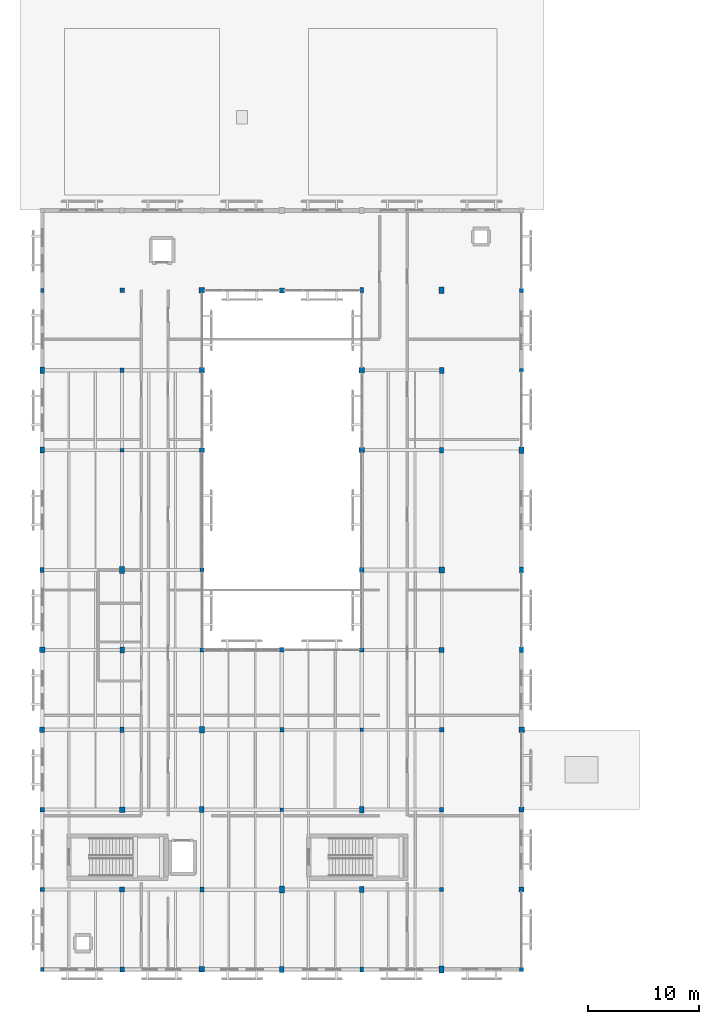
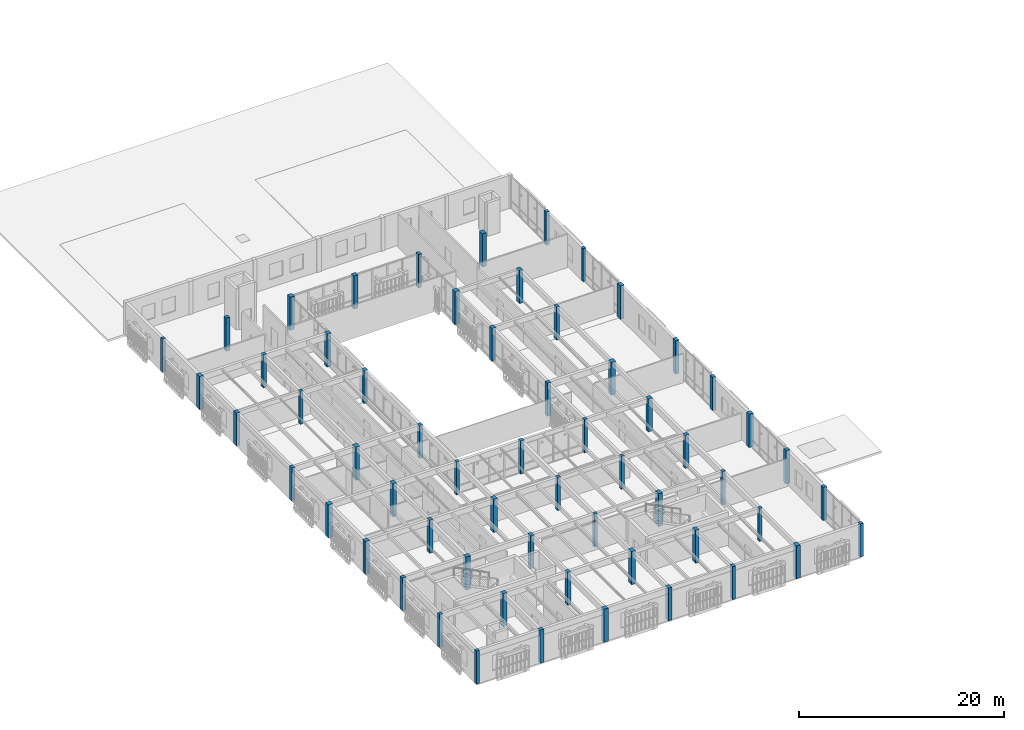
# One storey, part 1 of 61: 60 columns.
"""IFC4 building model written with IfcOpenShell, lengths in metres."""

from ifc_helpers import new_model, si_unit, direction, frame, origin, origin_2d, place, context, subcontext, project, spatial, rectangle, extrude, material, material_profile, profile_set, type_object, element, save


model = new_model("IFC4")

# Units and contexts
model_context = context("Model", 3, precision=1e-05, world=origin(), true_north=direction((0.0, 1.0)))
body_context = subcontext(model_context, "Body", "Model", "MODEL_VIEW")
ifc_project = project(units=[si_unit("LENGTHUNIT", "METRE"), si_unit("AREAUNIT", "SQUARE_METRE"), si_unit("VOLUMEUNIT", "CUBIC_METRE"), si_unit("PLANEANGLEUNIT", "RADIAN"), si_unit("MASSUNIT", "GRAM", prefix="KILO")], contexts=[model_context])

# Site, building, storey
site_placement = place(None, origin())
site = spatial("IfcSite", under=ifc_project, at=site_placement, CompositionType="ELEMENT")
building_placement = place(site_placement, origin())
building = spatial("IfcBuilding", under=site, at=building_placement, Name="Mazaris Harbour Polytechnic", CompositionType="ELEMENT")
storey_placement = place(building_placement, frame((0.0, 0.0, 18.0)))
storey = spatial("IfcBuildingStorey", under=building, at=storey_placement, Name="L04", CompositionType="ELEMENT", Elevation=18.0)

# Columns
ifc_material_1 = material(Name="Glulam GL28h", Category="wood")
ifc_material_profile_1 = material_profile(ifc_material_1, rectangle(XDim=0.340087890625, YDim=0.340087890625, at=origin_2d()), Name="RECT340x340")
ifc_profile_set_1 = profile_set([ifc_material_profile_1], Name="Glulam GL28h")
column_type_1 = type_object("IfcColumnType", Name="Glulam Column 340x340", PredefinedType="COLUMN", material=ifc_profile_set_1)
for number, where, z_axis, x_axis, name in (
    (1, (7.199951171875, 54.0, 0.0), (0.0, 0.0, 1.0), (1.0, 0.0, 0.0), "V4 L04 Column 1008"),
    (2, (14.39990234375, 36.0, 0.0), (0.0, 0.0, 1.0), (1.0, 0.0, 0.0), "V4 L04 Column 1016"),
    (3, (21.60009765625, 21.60009765625, 0.0), (0.0, 0.0, 1.0), (1.0, 0.0, 0.0), "V4 L04 Column 1024"),
    (4, (28.800048828125, 28.800048828125, 0.0), (0.0, 0.0, 1.0), (1.0, 0.0, 0.0), "V4 L04 Column 1032"),
    (5, (36.0, 14.39990234375, 0.0), (0.0, 0.0, 1.0), (1.0, 0.0, 0.0), "V4 L04 Column 1040"),
):
    element("IfcColumn", number, at=place(storey_placement, frame(where, z_axis=z_axis, x_axis=x_axis)), inside=storey, type_object=column_type_1, Name=name, PredefinedType="COLUMN", context=body_context, shape_type="SweptSolid", body=[
        extrude(rectangle(XDim=0.340087890625, YDim=0.340087890625, at=origin_2d()), origin(), (0.0, 0.0, 1.0), 3.93505859375),
    ])
ifc_material_2 = material(Name="Glulam GL28h", Category="wood")
ifc_material_profile_2 = material_profile(ifc_material_2, rectangle(XDim=0.340087890625, YDim=0.340087890625, at=origin_2d()), Name="RECT340x340")
ifc_profile_set_2 = profile_set([ifc_material_profile_2], Name="Glulam GL28h")
column_type_2 = type_object("IfcColumnType", Name="Glulam Column 340x340 Exterior", PredefinedType="COLUMN", material=ifc_profile_set_2)
column_1_placement = place(storey_placement, frame((0.0, 7.199951171875, 0.0), z_axis=(0.0, 0.0, 1.0), x_axis=(1.0, 0.0, 0.0)))
element("IfcColumn", 6, at=column_1_placement, inside=storey, type_object=column_type_2, Name="V4 L04 Column 992", PredefinedType="COLUMN", context=body_context, shape_type="SweptSolid", body=[
    extrude(rectangle(XDim=0.340087890625, YDim=0.340087890625, at=origin_2d()), origin(), (0.0, 0.0, 1.0), 3.93505859375),
])
for number, where, z_axis, x_axis, name in (
    (7, (0.0, 68.39990234375, 0.0), (0.0, 0.0, 1.0), (1.0, 0.0, 0.0), "V4 L04 Column 1000"),
    (8, (43.199951171875, 61.199951171875, 0.0), (0.0, 0.0, 1.0), (1.0, 0.0, 0.0), "V4 L04 Column 1056"),
):
    element("IfcColumn", number, at=place(storey_placement, frame(where, z_axis=z_axis, x_axis=x_axis)), inside=storey, type_object=column_type_2, Name=name, PredefinedType="COLUMN", context=body_context, shape_type="SweptSolid", body=[
        extrude(rectangle(XDim=0.340087890625, YDim=0.340087890625, at=origin_2d()), origin(), (0.0, 0.0, 1.0), 3.9599609375),
    ])
ifc_material_3 = material(Name="Glulam GL28h", Category="wood")
ifc_material_profile_3 = material_profile(ifc_material_3, rectangle(XDim=0.360107421875, YDim=0.47998046875, at=origin_2d()), Name="RECT360x480")
ifc_profile_set_3 = profile_set([ifc_material_profile_3], Name="Glulam GL28h")
column_type_3 = type_object("IfcColumnType", Name="Glulam Column 360x480", PredefinedType="COLUMN", material=ifc_profile_set_3)
for number, where, z_axis, x_axis, name in (
    (9, (7.199951171875, 28.800048828125, 0.0), (0.0, 0.0, 1.0), (1.0, 0.0, 0.0), "V4 L04 Column 1005"),
    (10, (14.39990234375, 14.39990234375, 0.0), (0.0, 0.0, 1.0), (1.0, 0.0, 0.0), "V4 L04 Column 1013"),
):
    element("IfcColumn", number, at=place(storey_placement, frame(where, z_axis=z_axis, x_axis=x_axis)), inside=storey, type_object=column_type_3, Name=name, PredefinedType="COLUMN", context=body_context, shape_type="SweptSolid", body=[
        extrude(rectangle(XDim=0.360107421875, YDim=0.47998046875, at=origin_2d()), origin(), (0.0, 0.0, 1.0), 3.93505859375),
    ])
column_2_placement = place(storey_placement, frame((28.800048828125, 68.39990234375, 0.0), z_axis=(0.0, 0.0, 1.0), x_axis=(1.0, 0.0, 0.0)))
element("IfcColumn", 11, at=column_2_placement, inside=storey, type_object=column_type_3, Name="V4 L04 Column 1037", PredefinedType="COLUMN", context=body_context, shape_type="SweptSolid", body=[
    extrude(rectangle(XDim=0.360107421875, YDim=0.47998046875, at=origin_2d()), origin(), (0.0, 0.0, 1.0), 3.9599609375),
])
column_3_placement = place(storey_placement, frame((36.0, 54.0, 0.0), z_axis=(0.0, 0.0, 1.0), x_axis=(1.0, 0.0, 0.0)))
element("IfcColumn", 12, at=column_3_placement, inside=storey, type_object=column_type_3, Name="V4 L04 Column 1045", PredefinedType="COLUMN", context=body_context, shape_type="SweptSolid", body=[
    extrude(rectangle(XDim=0.360107421875, YDim=0.47998046875, at=origin_2d()), origin(), (0.0, 0.0, 1.0), 3.93505859375),
])
ifc_material_4 = material(Name="Glulam GL28h", Category="wood")
ifc_material_profile_4 = material_profile(ifc_material_4, rectangle(XDim=0.360107421875, YDim=0.47998046875, at=origin_2d()), Name="RECT360x480")
ifc_profile_set_4 = profile_set([ifc_material_profile_4], Name="Glulam GL28h")
column_type_4 = type_object("IfcColumnType", Name="Glulam Column 360x480 Exterior", PredefinedType="COLUMN", material=ifc_profile_set_4)
for number, where, z_axis, x_axis, name in (
    (13, (0.0, 43.199951171875, 0.0), (0.0, 0.0, 1.0), (1.0, 0.0, 0.0), "V4 L04 Column 997"),
    (14, (28.800048828125, 7.199951171875, 0.0), (0.0, 0.0, 1.0), (1.0, 0.0, 0.0), "V4 L04 Column 1029"),
):
    element("IfcColumn", number, at=place(storey_placement, frame(where, z_axis=z_axis, x_axis=x_axis)), inside=storey, type_object=column_type_4, Name=name, PredefinedType="COLUMN", context=body_context, shape_type="SweptSolid", body=[
        extrude(rectangle(XDim=0.360107421875, YDim=0.47998046875, at=origin_2d()), origin(), (0.0, 0.0, 1.0), 3.93505859375),
    ])
column_4_placement = place(storey_placement, frame((43.199951171875, 36.0, 0.0), z_axis=(0.0, 0.0, 1.0), x_axis=(1.0, 0.0, 0.0)))
element("IfcColumn", 15, at=column_4_placement, inside=storey, type_object=column_type_4, Name="V4 L04 Column 1053", PredefinedType="COLUMN", context=body_context, shape_type="SweptSolid", body=[
    extrude(rectangle(XDim=0.360107421875, YDim=0.47998046875, at=origin_2d()), origin(), (0.0, 0.0, 1.0), 3.9599609375),
])
ifc_material_5 = material(Name="Glulam GL28h", Category="wood")
ifc_material_profile_5 = material_profile(ifc_material_5, rectangle(XDim=0.3798828125, YDim=0.3798828125, at=origin_2d()), Name="RECT380x380")
ifc_profile_set_5 = profile_set([ifc_material_profile_5], Name="Glulam GL28h")
column_type_5 = type_object("IfcColumnType", Name="Glulam Column 380x380", PredefinedType="COLUMN", material=ifc_profile_set_5)
for number, where, z_axis, x_axis, name in (
    (16, (7.199951171875, 61.199951171875, 0.0), (0.0, 0.0, 1.0), (1.0, 0.0, 0.0), "V4 L04 Column 1009"),
    (17, (14.39990234375, 43.199951171875, 0.0), (0.0, 0.0, 1.0), (1.0, 0.0, 0.0), "V4 L04 Column 1017"),
    (18, (21.60009765625, 28.800048828125, 0.0), (0.0, 0.0, 1.0), (1.0, 0.0, 0.0), "V4 L04 Column 1025"),
    (19, (28.800048828125, 36.0, 0.0), (0.0, 0.0, 1.0), (1.0, 0.0, 0.0), "V4 L04 Column 1033"),
    (20, (36.0, 21.60009765625, 0.0), (0.0, 0.0, 1.0), (1.0, 0.0, 0.0), "V4 L04 Column 1041"),
):
    element("IfcColumn", number, at=place(storey_placement, frame(where, z_axis=z_axis, x_axis=x_axis)), inside=storey, type_object=column_type_5, Name=name, PredefinedType="COLUMN", context=body_context, shape_type="SweptSolid", body=[
        extrude(rectangle(XDim=0.3798828125, YDim=0.3798828125, at=origin_2d()), origin(), (0.0, 0.0, 1.0), 3.93505859375),
    ])
ifc_material_6 = material(Name="Glulam GL28h", Category="wood")
ifc_material_profile_6 = material_profile(ifc_material_6, rectangle(XDim=0.3798828125, YDim=0.3798828125, at=origin_2d()), Name="RECT380x380")
ifc_profile_set_6 = profile_set([ifc_material_profile_6], Name="Glulam GL28h")
column_type_6 = type_object("IfcColumnType", Name="Glulam Column 380x380 Exterior", PredefinedType="COLUMN", material=ifc_profile_set_6)
column_5_placement = place(storey_placement, frame((0.0, 14.39990234375, 0.0), z_axis=(0.0, 0.0, 1.0), x_axis=(1.0, 0.0, 0.0)))
element("IfcColumn", 21, at=column_5_placement, inside=storey, type_object=column_type_6, Name="V4 L04 Column 993", PredefinedType="COLUMN", context=body_context, shape_type="SweptSolid", body=[
    extrude(rectangle(XDim=0.3798828125, YDim=0.3798828125, at=origin_2d()), origin(), (0.0, 0.0, 1.0), 3.93505859375),
])
for number, where, z_axis, x_axis, name in (
    (22, (43.199951171875, 7.199951171875, 0.0), (0.0, 0.0, 1.0), (1.0, 0.0, 0.0), "V4 L04 Column 1049"),
    (23, (43.199951171875, 68.39990234375, 0.0), (0.0, 0.0, 1.0), (1.0, 0.0, 0.0), "V4 L04 Column 1057"),
):
    element("IfcColumn", number, at=place(storey_placement, frame(where, z_axis=z_axis, x_axis=x_axis)), inside=storey, type_object=column_type_6, Name=name, PredefinedType="COLUMN", context=body_context, shape_type="SweptSolid", body=[
        extrude(rectangle(XDim=0.3798828125, YDim=0.3798828125, at=origin_2d()), origin(), (0.0, 0.0, 1.0), 3.9599609375),
    ])
ifc_material_7 = material(Name="Glulam GL28h", Category="wood")
ifc_material_profile_7 = material_profile(ifc_material_7, rectangle(XDim=0.39990234375, YDim=0.5400390625, at=origin_2d()), Name="RECT400x540")
ifc_profile_set_7 = profile_set([ifc_material_profile_7], Name="Glulam GL28h")
column_type_7 = type_object("IfcColumnType", Name="Glulam Column 400x540", PredefinedType="COLUMN", material=ifc_profile_set_7)
for number, where, z_axis, x_axis, name in (
    (24, (7.199951171875, 36.0, 0.0), (0.0, 0.0, 1.0), (1.0, 0.0, 0.0), "V4 L04 Column 1006"),
    (25, (14.39990234375, 21.60009765625, 0.0), (0.0, 0.0, 1.0), (1.0, 0.0, 0.0), "V4 L04 Column 1014"),
    (26, (28.800048828125, 14.39990234375, 0.0), (0.0, 0.0, 1.0), (1.0, 0.0, 0.0), "V4 L04 Column 1030"),
    (27, (36.0, 61.199951171875, 0.0), (0.0, 0.0, 1.0), (1.0, 0.0, 0.0), "V4 L04 Column 1046"),
):
    element("IfcColumn", number, at=place(storey_placement, frame(where, z_axis=z_axis, x_axis=x_axis)), inside=storey, type_object=column_type_7, Name=name, PredefinedType="COLUMN", context=body_context, shape_type="SweptSolid", body=[
        extrude(rectangle(XDim=0.39990234375, YDim=0.5400390625, at=origin_2d()), origin(), (0.0, 0.0, 1.0), 3.93505859375),
    ])
ifc_material_8 = material(Name="Glulam GL28h", Category="wood")
ifc_material_profile_8 = material_profile(ifc_material_8, rectangle(XDim=0.39990234375, YDim=0.5400390625, at=origin_2d()), Name="RECT400x540")
ifc_profile_set_8 = profile_set([ifc_material_profile_8], Name="Glulam GL28h")
column_type_8 = type_object("IfcColumnType", Name="Glulam Column 400x540 Exterior", PredefinedType="COLUMN", material=ifc_profile_set_8)
for number, where, z_axis, x_axis, name in (
    (28, (0.0, 54.0, 0.0), (0.0, 0.0, 1.0), (1.0, 0.0, 0.0), "V4 L04 Column 998"),
    (29, (21.60009765625, 7.199951171875, 0.0), (0.0, 0.0, 1.0), (1.0, 0.0, 0.0), "V4 L04 Column 1022"),
):
    element("IfcColumn", number, at=place(storey_placement, frame(where, z_axis=z_axis, x_axis=x_axis)), inside=storey, type_object=column_type_8, Name=name, PredefinedType="COLUMN", context=body_context, shape_type="SweptSolid", body=[
        extrude(rectangle(XDim=0.39990234375, YDim=0.5400390625, at=origin_2d()), origin(), (0.0, 0.0, 1.0), 3.93505859375),
    ])
column_6_placement = place(storey_placement, frame((43.199951171875, 43.199951171875, 0.0), z_axis=(0.0, 0.0, 1.0), x_axis=(1.0, 0.0, 0.0)))
element("IfcColumn", 30, at=column_6_placement, inside=storey, type_object=column_type_8, Name="V4 L04 Column 1054", PredefinedType="COLUMN", context=body_context, shape_type="SweptSolid", body=[
    extrude(rectangle(XDim=0.39990234375, YDim=0.5400390625, at=origin_2d()), origin(), (0.0, 0.0, 1.0), 3.9599609375),
])
ifc_material_9 = material(Name="Glulam GL28h", Category="wood")
ifc_material_profile_9 = material_profile(ifc_material_9, rectangle(XDim=0.419921875, YDim=0.419921875, at=origin_2d()), Name="RECT420x420")
ifc_profile_set_9 = profile_set([ifc_material_profile_9], Name="Glulam GL28h")
column_type_9 = type_object("IfcColumnType", Name="Glulam Column 420x420", PredefinedType="COLUMN", material=ifc_profile_set_9)
column_7_placement = place(storey_placement, frame((7.199951171875, 68.39990234375, 0.0), z_axis=(0.0, 0.0, 1.0), x_axis=(1.0, 0.0, 0.0)))
element("IfcColumn", 31, at=column_7_placement, inside=storey, type_object=column_type_9, Name="V4 L04 Column 1010", PredefinedType="COLUMN", context=body_context, shape_type="SweptSolid", body=[
    extrude(rectangle(XDim=0.419921875, YDim=0.419921875, at=origin_2d()), origin(), (0.0, 0.0, 1.0), 3.9599609375),
])
for number, where, z_axis, x_axis, name in (
    (32, (14.39990234375, 54.0, 0.0), (0.0, 0.0, 1.0), (1.0, 0.0, 0.0), "V4 L04 Column 1018"),
    (33, (21.60009765625, 36.0, 0.0), (0.0, 0.0, 1.0), (1.0, 0.0, 0.0), "V4 L04 Column 1026"),
    (34, (28.800048828125, 43.199951171875, 0.0), (0.0, 0.0, 1.0), (1.0, 0.0, 0.0), "V4 L04 Column 1034"),
    (35, (36.0, 28.800048828125, 0.0), (0.0, 0.0, 1.0), (1.0, 0.0, 0.0), "V4 L04 Column 1042"),
):
    element("IfcColumn", number, at=place(storey_placement, frame(where, z_axis=z_axis, x_axis=x_axis)), inside=storey, type_object=column_type_9, Name=name, PredefinedType="COLUMN", context=body_context, shape_type="SweptSolid", body=[
        extrude(rectangle(XDim=0.419921875, YDim=0.419921875, at=origin_2d()), origin(), (0.0, 0.0, 1.0), 3.93505859375),
    ])
ifc_material_10 = material(Name="Glulam GL28h", Category="wood")
ifc_material_profile_10 = material_profile(ifc_material_10, rectangle(XDim=0.419921875, YDim=0.419921875, at=origin_2d()), Name="RECT420x420")
ifc_profile_set_10 = profile_set([ifc_material_profile_10], Name="Glulam GL28h")
column_type_10 = type_object("IfcColumnType", Name="Glulam Column 420x420 Exterior", PredefinedType="COLUMN", material=ifc_profile_set_10)
for number, where, z_axis, x_axis, name in (
    (36, (0.0, 21.60009765625, 0.0), (0.0, 0.0, 1.0), (1.0, 0.0, 0.0), "V4 L04 Column 994"),
    (37, (7.199951171875, 7.199951171875, 0.0), (0.0, 0.0, 1.0), (1.0, 0.0, 0.0), "V4 L04 Column 1002"),
):
    element("IfcColumn", number, at=place(storey_placement, frame(where, z_axis=z_axis, x_axis=x_axis)), inside=storey, type_object=column_type_10, Name=name, PredefinedType="COLUMN", context=body_context, shape_type="SweptSolid", body=[
        extrude(rectangle(XDim=0.419921875, YDim=0.419921875, at=origin_2d()), origin(), (0.0, 0.0, 1.0), 3.93505859375),
    ])
column_8_placement = place(storey_placement, frame((43.199951171875, 14.39990234375, 0.0), z_axis=(0.0, 0.0, 1.0), x_axis=(1.0, 0.0, 0.0)))
element("IfcColumn", 38, at=column_8_placement, inside=storey, type_object=column_type_10, Name="V4 L04 Column 1050", PredefinedType="COLUMN", context=body_context, shape_type="SweptSolid", body=[
    extrude(rectangle(XDim=0.419921875, YDim=0.419921875, at=origin_2d()), origin(), (0.0, 0.0, 1.0), 3.9599609375),
])
ifc_material_11 = material(Name="Glulam GL28h", Category="wood")
ifc_material_profile_11 = material_profile(ifc_material_11, rectangle(XDim=0.43994140625, YDim=0.60009765625, at=origin_2d()), Name="RECT440x600")
ifc_profile_set_11 = profile_set([ifc_material_profile_11], Name="Glulam GL28h")
column_type_11 = type_object("IfcColumnType", Name="Glulam Column 440x600", PredefinedType="COLUMN", material=ifc_profile_set_11)
for number, where, z_axis, x_axis, name in (
    (39, (7.199951171875, 43.199951171875, 0.0), (0.0, 0.0, 1.0), (1.0, 0.0, 0.0), "V4 L04 Column 1007"),
    (40, (14.39990234375, 28.800048828125, 0.0), (0.0, 0.0, 1.0), (1.0, 0.0, 0.0), "V4 L04 Column 1015"),
    (41, (21.60009765625, 14.39990234375, 0.0), (0.0, 0.0, 1.0), (1.0, 0.0, 0.0), "V4 L04 Column 1023"),
    (42, (28.800048828125, 21.60009765625, 0.0), (0.0, 0.0, 1.0), (1.0, 0.0, 0.0), "V4 L04 Column 1031"),
):
    element("IfcColumn", number, at=place(storey_placement, frame(where, z_axis=z_axis, x_axis=x_axis)), inside=storey, type_object=column_type_11, Name=name, PredefinedType="COLUMN", context=body_context, shape_type="SweptSolid", body=[
        extrude(rectangle(XDim=0.43994140625, YDim=0.60009765625, at=origin_2d()), origin(), (0.0, 0.0, 1.0), 3.93505859375),
    ])
column_9_placement = place(storey_placement, frame((36.0, 68.39990234375, 0.0), z_axis=(0.0, 0.0, 1.0), x_axis=(1.0, 0.0, 0.0)))
element("IfcColumn", 43, at=column_9_placement, inside=storey, type_object=column_type_11, Name="V4 L04 Column 1047", PredefinedType="COLUMN", context=body_context, shape_type="SweptSolid", body=[
    extrude(rectangle(XDim=0.43994140625, YDim=0.60009765625, at=origin_2d()), origin(), (0.0, 0.0, 1.0), 3.9599609375),
])
ifc_material_12 = material(Name="Glulam GL28h", Category="wood")
ifc_material_profile_12 = material_profile(ifc_material_12, rectangle(XDim=0.43994140625, YDim=0.60009765625, at=origin_2d()), Name="RECT440x600")
ifc_profile_set_12 = profile_set([ifc_material_profile_12], Name="Glulam GL28h")
column_type_12 = type_object("IfcColumnType", Name="Glulam Column 440x600 Exterior", PredefinedType="COLUMN", material=ifc_profile_set_12)
for number, where, z_axis, x_axis, name in (
    (44, (0.0, 61.199951171875, 0.0), (0.0, 0.0, 1.0), (1.0, 0.0, 0.0), "V4 L04 Column 999"),
    (45, (36.0, 7.199951171875, 0.0), (0.0, 0.0, 1.0), (1.0, 0.0, 0.0), "V4 L04 Column 1039"),
):
    element("IfcColumn", number, at=place(storey_placement, frame(where, z_axis=z_axis, x_axis=x_axis)), inside=storey, type_object=column_type_12, Name=name, PredefinedType="COLUMN", context=body_context, shape_type="SweptSolid", body=[
        extrude(rectangle(XDim=0.43994140625, YDim=0.60009765625, at=origin_2d()), origin(), (0.0, 0.0, 1.0), 3.93505859375),
    ])
column_10_placement = place(storey_placement, frame((43.199951171875, 54.0, 0.0), z_axis=(0.0, 0.0, 1.0), x_axis=(1.0, 0.0, 0.0)))
element("IfcColumn", 46, at=column_10_placement, inside=storey, type_object=column_type_12, Name="V4 L04 Column 1055", PredefinedType="COLUMN", context=body_context, shape_type="SweptSolid", body=[
    extrude(rectangle(XDim=0.43994140625, YDim=0.60009765625, at=origin_2d()), origin(), (0.0, 0.0, 1.0), 3.9599609375),
])
ifc_material_13 = material(Name="Glulam GL28h", Category="wood")
ifc_material_profile_13 = material_profile(ifc_material_13, rectangle(XDim=0.4599609375, YDim=0.4599609375, at=origin_2d()), Name="RECT460x460")
ifc_profile_set_13 = profile_set([ifc_material_profile_13], Name="Glulam GL28h")
column_type_13 = type_object("IfcColumnType", Name="Glulam Column 460x460", PredefinedType="COLUMN", material=ifc_profile_set_13)
for number, where, z_axis, x_axis, name in (
    (47, (7.199951171875, 14.39990234375, 0.0), (0.0, 0.0, 1.0), (1.0, 0.0, 0.0), "V4 L04 Column 1003"),
    (48, (14.39990234375, 61.199951171875, 0.0), (0.0, 0.0, 1.0), (1.0, 0.0, 0.0), "V4 L04 Column 1019"),
):
    element("IfcColumn", number, at=place(storey_placement, frame(where, z_axis=z_axis, x_axis=x_axis)), inside=storey, type_object=column_type_13, Name=name, PredefinedType="COLUMN", context=body_context, shape_type="SweptSolid", body=[
        extrude(rectangle(XDim=0.4599609375, YDim=0.4599609375, at=origin_2d()), origin(), (0.0, 0.0, 1.0), 3.93505859375),
    ])
column_11_placement = place(storey_placement, frame((21.60009765625, 68.39990234375, 0.0), z_axis=(0.0, 0.0, 1.0), x_axis=(1.0, 0.0, 0.0)))
element("IfcColumn", 49, at=column_11_placement, inside=storey, type_object=column_type_13, Name="V4 L04 Column 1027", PredefinedType="COLUMN", context=body_context, shape_type="SweptSolid", body=[
    extrude(rectangle(XDim=0.4599609375, YDim=0.4599609375, at=origin_2d()), origin(), (0.0, 0.0, 1.0), 3.9599609375),
])
for number, where, z_axis, x_axis, name in (
    (50, (28.800048828125, 54.0, 0.0), (0.0, 0.0, 1.0), (1.0, 0.0, 0.0), "V4 L04 Column 1035"),
    (51, (36.0, 36.0, 0.0), (0.0, 0.0, 1.0), (1.0, 0.0, 0.0), "V4 L04 Column 1043"),
):
    element("IfcColumn", number, at=place(storey_placement, frame(where, z_axis=z_axis, x_axis=x_axis)), inside=storey, type_object=column_type_13, Name=name, PredefinedType="COLUMN", context=body_context, shape_type="SweptSolid", body=[
        extrude(rectangle(XDim=0.4599609375, YDim=0.4599609375, at=origin_2d()), origin(), (0.0, 0.0, 1.0), 3.93505859375),
    ])
ifc_material_14 = material(Name="Glulam GL28h", Category="wood")
ifc_material_profile_14 = material_profile(ifc_material_14, rectangle(XDim=0.4599609375, YDim=0.4599609375, at=origin_2d()), Name="RECT460x460")
ifc_profile_set_14 = profile_set([ifc_material_profile_14], Name="Glulam GL28h")
column_type_14 = type_object("IfcColumnType", Name="Glulam Column 460x460 Exterior", PredefinedType="COLUMN", material=ifc_profile_set_14)
column_12_placement = place(storey_placement, frame((0.0, 28.800048828125, 0.0), z_axis=(0.0, 0.0, 1.0), x_axis=(1.0, 0.0, 0.0)))
element("IfcColumn", 52, at=column_12_placement, inside=storey, type_object=column_type_14, Name="V4 L04 Column 995", PredefinedType="COLUMN", context=body_context, shape_type="SweptSolid", body=[
    extrude(rectangle(XDim=0.4599609375, YDim=0.4599609375, at=origin_2d()), origin(), (0.0, 0.0, 1.0), 3.93505859375),
])
column_13_placement = place(storey_placement, frame((43.199951171875, 21.60009765625, 0.0), z_axis=(0.0, 0.0, 1.0), x_axis=(1.0, 0.0, 0.0)))
element("IfcColumn", 53, at=column_13_placement, inside=storey, type_object=column_type_14, Name="V4 L04 Column 1051", PredefinedType="COLUMN", context=body_context, shape_type="SweptSolid", body=[
    extrude(rectangle(XDim=0.4599609375, YDim=0.4599609375, at=origin_2d()), origin(), (0.0, 0.0, 1.0), 3.9599609375),
])
ifc_material_15 = material(Name="Glulam GL28h", Category="wood")
ifc_material_profile_15 = material_profile(ifc_material_15, rectangle(XDim=0.5, YDim=0.5, at=origin_2d()), Name="RECT500x500")
ifc_profile_set_15 = profile_set([ifc_material_profile_15], Name="Glulam GL28h")
column_type_15 = type_object("IfcColumnType", Name="Glulam Column 500x500", PredefinedType="COLUMN", material=ifc_profile_set_15)
column_14_placement = place(storey_placement, frame((7.199951171875, 21.60009765625, 0.0), z_axis=(0.0, 0.0, 1.0), x_axis=(1.0, 0.0, 0.0)))
element("IfcColumn", 54, at=column_14_placement, inside=storey, type_object=column_type_15, Name="V4 L04 Column 1004", PredefinedType="COLUMN", context=body_context, shape_type="SweptSolid", body=[
    extrude(rectangle(XDim=0.5, YDim=0.5, at=origin_2d()), origin(), (0.0, 0.0, 1.0), 3.93505859375),
])
column_15_placement = place(storey_placement, frame((14.39990234375, 68.39990234375, 0.0), z_axis=(0.0, 0.0, 1.0), x_axis=(1.0, 0.0, 0.0)))
element("IfcColumn", 55, at=column_15_placement, inside=storey, type_object=column_type_15, Name="V4 L04 Column 1020", PredefinedType="COLUMN", context=body_context, shape_type="SweptSolid", body=[
    extrude(rectangle(XDim=0.5, YDim=0.5, at=origin_2d()), origin(), (0.0, 0.0, 1.0), 3.9599609375),
])
for number, where, z_axis, x_axis, name in (
    (56, (28.800048828125, 61.199951171875, 0.0), (0.0, 0.0, 1.0), (1.0, 0.0, 0.0), "V4 L04 Column 1036"),
    (57, (36.0, 43.199951171875, 0.0), (0.0, 0.0, 1.0), (1.0, 0.0, 0.0), "V4 L04 Column 1044"),
):
    element("IfcColumn", number, at=place(storey_placement, frame(where, z_axis=z_axis, x_axis=x_axis)), inside=storey, type_object=column_type_15, Name=name, PredefinedType="COLUMN", context=body_context, shape_type="SweptSolid", body=[
        extrude(rectangle(XDim=0.5, YDim=0.5, at=origin_2d()), origin(), (0.0, 0.0, 1.0), 3.93505859375),
    ])
ifc_material_16 = material(Name="Glulam GL28h", Category="wood")
ifc_material_profile_16 = material_profile(ifc_material_16, rectangle(XDim=0.5, YDim=0.5, at=origin_2d()), Name="RECT500x500")
ifc_profile_set_16 = profile_set([ifc_material_profile_16], Name="Glulam GL28h")
column_type_16 = type_object("IfcColumnType", Name="Glulam Column 500x500 Exterior", PredefinedType="COLUMN", material=ifc_profile_set_16)
for number, where, z_axis, x_axis, name in (
    (58, (0.0, 36.0, 0.0), (0.0, 0.0, 1.0), (1.0, 0.0, 0.0), "V4 L04 Column 996"),
    (59, (14.39990234375, 7.199951171875, 0.0), (0.0, 0.0, 1.0), (1.0, 0.0, 0.0), "V4 L04 Column 1012"),
):
    element("IfcColumn", number, at=place(storey_placement, frame(where, z_axis=z_axis, x_axis=x_axis)), inside=storey, type_object=column_type_16, Name=name, PredefinedType="COLUMN", context=body_context, shape_type="SweptSolid", body=[
        extrude(rectangle(XDim=0.5, YDim=0.5, at=origin_2d()), origin(), (0.0, 0.0, 1.0), 3.93505859375),
    ])
column_16_placement = place(storey_placement, frame((43.199951171875, 28.800048828125, 0.0), z_axis=(0.0, 0.0, 1.0), x_axis=(1.0, 0.0, 0.0)))
element("IfcColumn", 60, at=column_16_placement, inside=storey, type_object=column_type_16, Name="V4 L04 Column 1052", PredefinedType="COLUMN", context=body_context, shape_type="SweptSolid", body=[
    extrude(rectangle(XDim=0.5, YDim=0.5, at=origin_2d()), origin(), (0.0, 0.0, 1.0), 3.9599609375),
])

save(model, "model.ifc")
